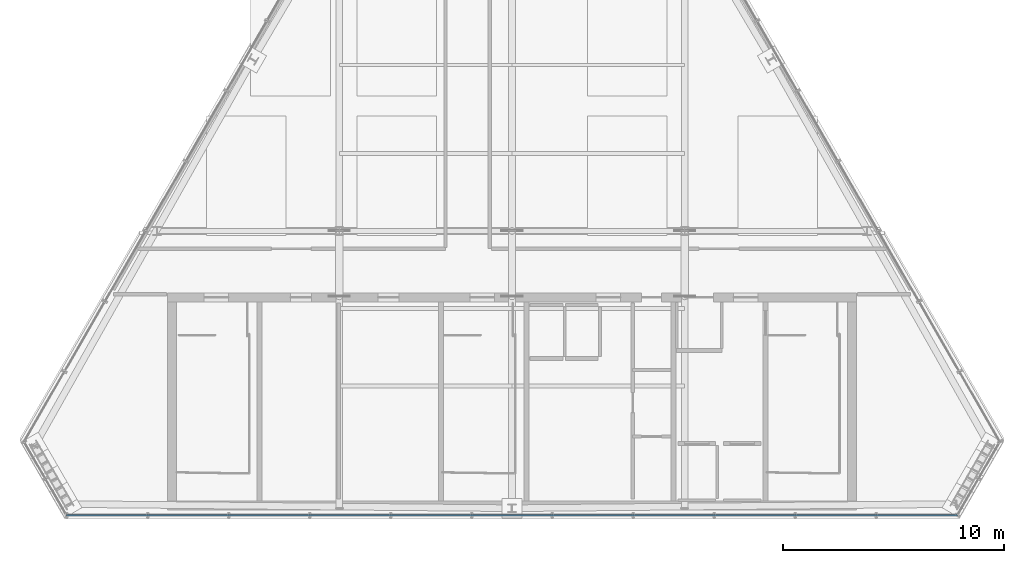
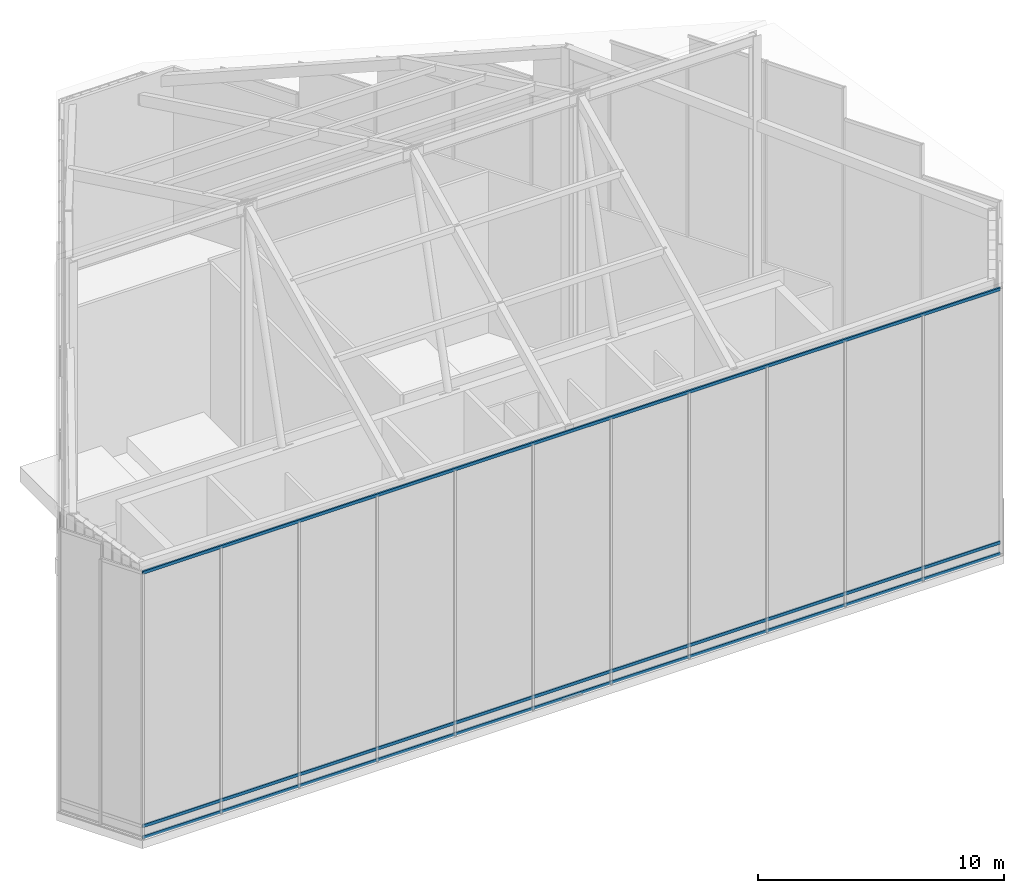
# One storey, part 12 of 36: 3 members, 1 element without a shape of its own.
"""IFC4 building model written with IfcOpenShell, lengths in metres."""

from ifc_helpers import new_model, si_unit, direction, frame, origin, origin_2d, place, context, subcontext, project, spatial, hollow_rectangle, extrude, material, layer, layer_set, material_profile, profile_set, type_object, element, aggregate, save


model = new_model("IFC4")

# Units and contexts
model_context = context("Model", 3, precision=1e-05, world=origin(), true_north=direction((0.0, 1.0)))
body_context = subcontext(model_context, "Body", "Model", "MODEL_VIEW")
ifc_project = project(units=[si_unit("LENGTHUNIT", "METRE"), si_unit("AREAUNIT", "SQUARE_METRE"), si_unit("VOLUMEUNIT", "CUBIC_METRE"), si_unit("PLANEANGLEUNIT", "RADIAN"), si_unit("MASSUNIT", "GRAM", prefix="KILO")], contexts=[model_context])

# Site, building, storey
site_placement = place(None, origin())
site = spatial("IfcSite", under=ifc_project, at=site_placement, CompositionType="ELEMENT")
building_placement = place(site_placement, origin())
building = spatial("IfcBuilding", under=site, at=building_placement, Name="Ndaravel Arena Tower", CompositionType="ELEMENT")
storey_placement = place(building_placement, frame((0.0, 0.0, 308.10009765625)))
storey = spatial("IfcBuildingStorey", under=building, at=storey_placement, Name="Roof Crown", CompositionType="ELEMENT", Elevation=308.10009765625)

# Curtain wall, members
ifc_material_1 = material(Name="Aluminium", Category="aluminium")
ifc_layer = layer(ifc_material_1, 0.179931640625)
ifc_layer_set = layer_set([ifc_layer], Name="Aluminium")
curtain_wall_type = type_object("IfcCurtainWallType", Name="CW-SYS-06", PredefinedType="NOTDEFINED", material=ifc_layer_set)
curtain_wall_placement = place(storey_placement, origin())
curtain_wall = element("IfcCurtainWall", 1, at=curtain_wall_placement, inside=storey, type_object=curtain_wall_type, Name="Roof Crown Sloped Crown Lantern Curtain Wall CW-CROWN-E01", PredefinedType="NOTDEFINED")
ifc_material_2 = material(Name="Aluminium", Category="aluminium")
ifc_material_profile = material_profile(ifc_material_2, hollow_rectangle(XDim=0.074951171875, YDim=0.14990234375, WallThickness=0.00390625, at=origin_2d()), Name="CW TRANSOM 75x150x4")
ifc_profile_set = profile_set([ifc_material_profile], Name="Aluminium")
member_type = type_object("IfcMemberType", Name="MEM-CW-TRN150", PredefinedType="USERDEFINED", material=ifc_profile_set)
member_1_placement = place(storey_placement, frame((21.885009765625, 5.159912109375, 0.039794921875), z_axis=(1.0, 0.0, 0.0), x_axis=(0.0, 1.0, 0.0)))
member_1 = element("IfcMember", 2, at=member_1_placement, type_object=member_type, Name="CW-CROWN-E01 Transom 01", ObjectType="TRANSOM", PredefinedType="USERDEFINED", context=body_context, shape_type="SweptSolid", body=[
    extrude(hollow_rectangle(XDim=0.074951171875, YDim=0.14990234375, WallThickness=0.00390625, at=origin_2d()), origin(), (0.0, 0.0, 1.0), 40.22998046875),
])
member_2_placement = place(storey_placement, frame((21.885009765625, 5.159912109375, 0.599853515625), z_axis=(1.0, 0.0, 0.0), x_axis=(0.0, 1.0, 0.0)))
member_2 = element("IfcMember", 3, at=member_2_placement, type_object=member_type, Name="CW-CROWN-E01 Transom 02", ObjectType="TRANSOM", PredefinedType="USERDEFINED", context=body_context, shape_type="SweptSolid", body=[
    extrude(hollow_rectangle(XDim=0.074951171875, YDim=0.14990234375, WallThickness=0.00390625, at=origin_2d()), origin(), (0.0, 0.0, 1.0), 40.22998046875),
])
member_3_placement = place(storey_placement, frame((21.885009765625, 5.159912109375, 13.16796875), z_axis=(1.0, 0.0, 0.0), x_axis=(0.0, 1.0, 0.0)))
member_3 = element("IfcMember", 4, at=member_3_placement, type_object=member_type, Name="CW-CROWN-E01 Transom 03", ObjectType="TRANSOM", PredefinedType="USERDEFINED", context=body_context, shape_type="SweptSolid", body=[
    extrude(hollow_rectangle(XDim=0.074951171875, YDim=0.14990234375, WallThickness=0.00390625, at=origin_2d()), origin(), (0.0, 0.0, 1.0), 40.22998046875),
])
aggregate(curtain_wall, [member_1, member_2, member_3])

save(model, "model.ifc")
